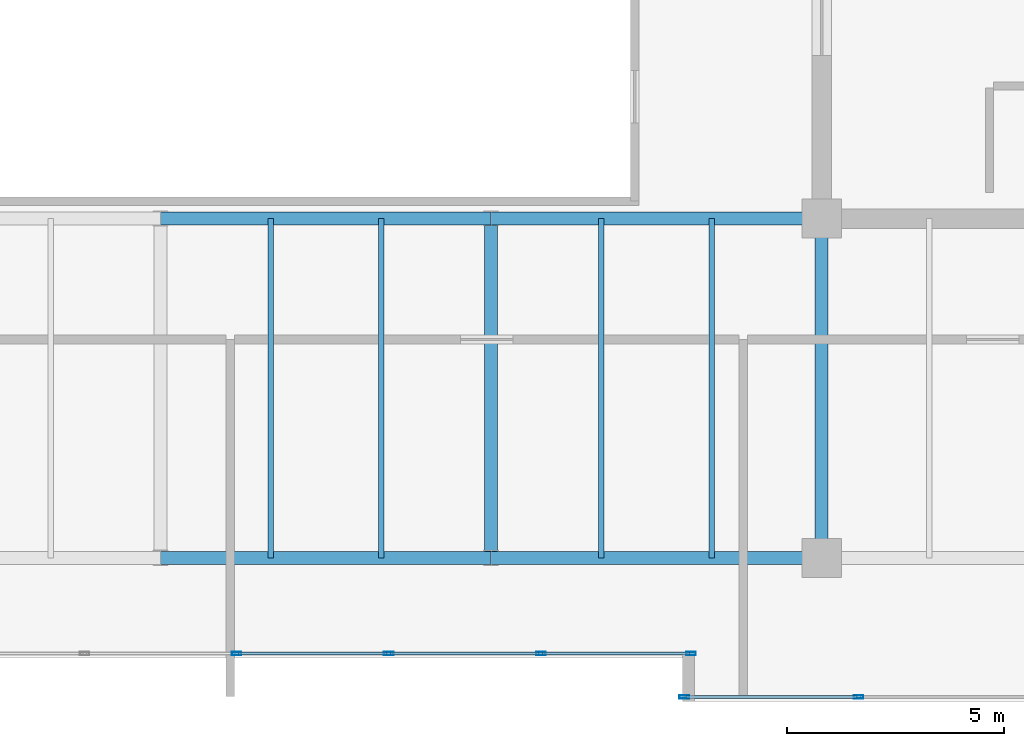
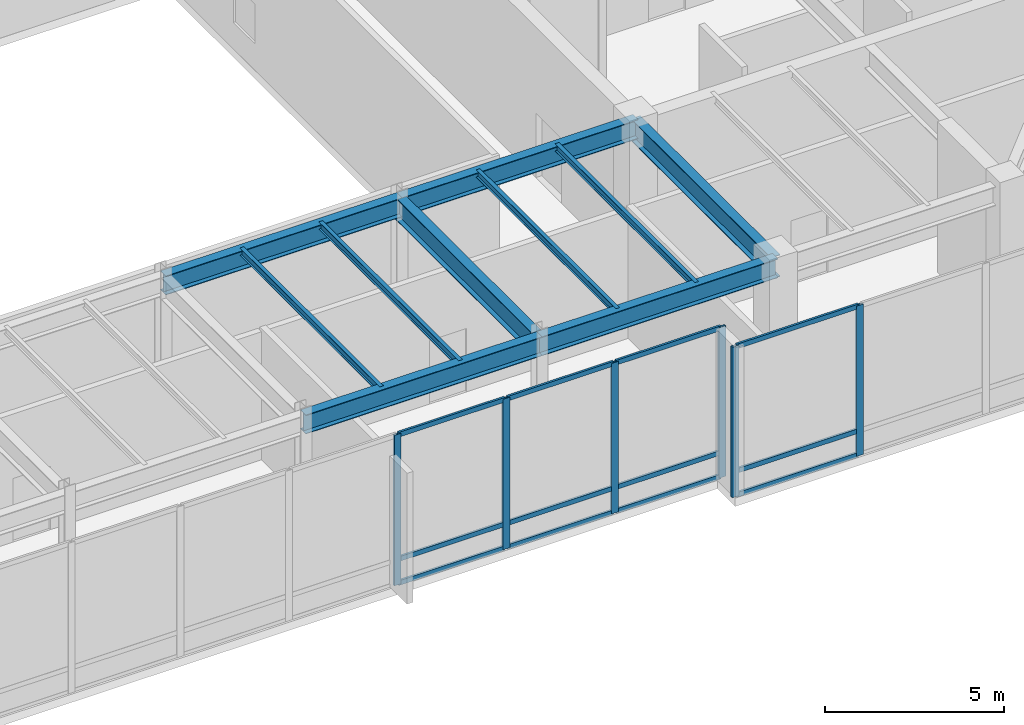
# One storey, part 13 of 30: 18 members, 10 beams, 2 elements without a shape of their own.
"""IFC4 building model written with IfcOpenShell, lengths in metres."""

from ifc_helpers import new_model, si_unit, direction, frame, origin, origin_2d, place, context, subcontext, project, spatial, hollow_rectangle, i_section, extrude, source, transform, mapped, material, layer, layer_set, material_profile, profile_set, type_object, type_shapes, element, aggregate, save


model = new_model("IFC4")

# Units and contexts
model_context = context("Model", 3, precision=1e-05, world=origin(), true_north=direction((0.0, 1.0)))
body_context = subcontext(model_context, "Body", "Model", "MODEL_VIEW")
ifc_project = project(units=[si_unit("LENGTHUNIT", "METRE"), si_unit("AREAUNIT", "SQUARE_METRE"), si_unit("VOLUMEUNIT", "CUBIC_METRE"), si_unit("PLANEANGLEUNIT", "RADIAN"), si_unit("MASSUNIT", "GRAM", prefix="KILO")], contexts=[model_context])

# Site, building, storey
site_placement = place(None, origin())
site = spatial("IfcSite", under=ifc_project, at=site_placement, CompositionType="ELEMENT")
building_placement = place(site_placement, origin())
building = spatial("IfcBuilding", under=site, at=building_placement, Name="Haelvirn Gate Laboratories", CompositionType="ELEMENT")
storey_placement = place(building_placement, frame((0.0, 0.0, 332.39990234375)))
storey = spatial("IfcBuildingStorey", under=building, at=storey_placement, Name="L79", CompositionType="ELEMENT", Elevation=332.39990234375)

# Beams
ifc_material_1 = material(Name="Steel SM355", Category="steel")
ifc_material_profile_1 = material_profile(ifc_material_1, i_section(OverallWidth=0.300048828125, OverallDepth=0.75, WebThickness=0.013916015625, FlangeThickness=0.02392578125, at=origin_2d()), Name="H-750x300x14x24")
ifc_profile_set_1 = profile_set([ifc_material_profile_1], Name="Steel SM355")
beam_type_1 = type_object("IfcBeamType", Name="BM-G-750", PredefinedType="BEAM", material=ifc_profile_set_1)
shared_shape_1 = source(origin(), body_context, "Body", "SweptSolid", [
    extrude(i_section(OverallWidth=0.300048828125, OverallDepth=0.75, WebThickness=0.013916015625, FlangeThickness=0.02392578125, at=origin_2d()), origin(), (0.0, 0.0, 1.0), 7.800048828125),
])
type_shapes(beam_type_1, [shared_shape_1])
for number, where, z_axis, x_axis, name in (
    (1, (45.0, 7.0, 4.7451171875), (0.0, 1.0, 0.0), (-1.0, 0.0, 0.0), "L79 Frame Girder X45.0 (7.0-14.8)"),
    (2, (52.60009765625, 7.0, 4.7451171875), (0.0, 1.0, 0.0), (-1.0, 0.0, 0.0), "L79 Frame Girder X52.6 (7.0-14.8)"),
):
    element("IfcBeam", number, at=place(storey_placement, frame(where, z_axis=z_axis, x_axis=x_axis)), inside=storey, type_object=beam_type_1, Name=name, PredefinedType="BEAM", context=body_context, shape_type="MappedRepresentation", body=[
        mapped(shared_shape_1, transform((0.0, 0.0, 0.0), scale=1.0)),
    ])
ifc_material_profile_2 = material_profile(ifc_material_1, i_section(OverallWidth=0.300048828125, OverallDepth=0.64990234375, WebThickness=0.012939453125, FlangeThickness=0.02197265625, at=origin_2d()), Name="H-650x300x13x22")
ifc_profile_set_2 = profile_set([ifc_material_profile_2], Name="Steel SM355")
beam_type_2 = type_object("IfcBeamType", Name="BM-G-650", PredefinedType="BEAM", material=ifc_profile_set_2)
shared_shape_2 = source(origin(), body_context, "Body", "SweptSolid", [
    extrude(i_section(OverallWidth=0.300048828125, OverallDepth=0.64990234375, WebThickness=0.012939453125, FlangeThickness=0.02197265625, at=origin_2d()), origin(), (0.0, 0.0, 1.0), 7.60009765625),
])
type_shapes(beam_type_2, [shared_shape_2])
for number, where, z_axis, x_axis, name in (
    (3, (37.39990234375, 7.0, 4.795166015625), (1.0, 0.0, 0.0), (0.0, 1.0, 0.0), "L79 Primary Girder Y7.0 (37.4-45.0)"),
    (4, (45.0, 7.0, 4.795166015625), (1.0, 0.0, 0.0), (0.0, 1.0, 0.0), "L79 Primary Girder Y7.0 (45.0-52.6)"),
    (5, (37.39990234375, 14.800048828125, 4.795166015625), (1.0, 0.0, 0.0), (0.0, 1.0, 0.0), "L79 Primary Girder Y14.8 (37.4-45.0)"),
    (6, (45.0, 14.800048828125, 4.795166015625), (1.0, 0.0, 0.0), (0.0, 1.0, 0.0), "L79 Primary Girder Y14.8 (45.0-52.6)"),
):
    element("IfcBeam", number, at=place(storey_placement, frame(where, z_axis=z_axis, x_axis=x_axis)), inside=storey, type_object=beam_type_2, Name=name, PredefinedType="BEAM", context=body_context, shape_type="MappedRepresentation", body=[
        mapped(shared_shape_2, transform((0.0, 0.0, 0.0), scale=1.0)),
    ])
ifc_material_profile_3 = material_profile(ifc_material_1, i_section(OverallWidth=0.125, OverallDepth=0.25, WebThickness=0.006103515625, FlangeThickness=0.009033203125, at=origin_2d()), Name="H-250x125x6x9")
ifc_profile_set_3 = profile_set([ifc_material_profile_3], Name="Steel SM355")
beam_type_3 = type_object("IfcBeamType", Name="BM-J-250", PredefinedType="JOIST", material=ifc_profile_set_3)
shared_shape_3 = source(origin(), body_context, "Body", "SweptSolid", [
    extrude(i_section(OverallWidth=0.125, OverallDepth=0.25, WebThickness=0.006103515625, FlangeThickness=0.009033203125, at=origin_2d()), origin(), (0.0, 0.0, 1.0), 7.800048828125),
])
type_shapes(beam_type_3, [shared_shape_3])
for number, where, z_axis, x_axis, name in (
    (7, (39.929931640625, 7.0, 4.9951171875), (0.0, 1.0, 0.0), (-1.0, 0.0, 0.0), "L79 Composite Lab Joist South X39.93"),
    (8, (42.469970703125, 7.0, 4.9951171875), (0.0, 1.0, 0.0), (-1.0, 0.0, 0.0), "L79 Composite Lab Joist South X42.47"),
    (9, (47.530029296875, 7.0, 4.9951171875), (0.0, 1.0, 0.0), (-1.0, 0.0, 0.0), "L79 Composite Lab Joist South X47.53"),
    (10, (50.070068359375, 7.0, 4.9951171875), (0.0, 1.0, 0.0), (-1.0, 0.0, 0.0), "L79 Composite Lab Joist South X50.07"),
):
    element("IfcBeam", number, at=place(storey_placement, frame(where, z_axis=z_axis, x_axis=x_axis)), inside=storey, type_object=beam_type_3, Name=name, PredefinedType="JOIST", context=body_context, shape_type="MappedRepresentation", body=[
        mapped(shared_shape_3, transform((0.0, 0.0, 0.0), scale=1.0)),
    ])

# Curtain wall, members
ifc_material_2 = material(Name="Anodised bronze unitised aluminium & triple low-E glass", Category="aluminium")
ifc_layer = layer(ifc_material_2, 0.19189453125, Name="CW-SYS-6")
ifc_layer_set = layer_set([ifc_layer], Name="Anodised bronze unitised aluminium & triple low-E glass")
curtain_wall_type = type_object("IfcCurtainWallType", Name="CW-SYS-6", PredefinedType="NOTDEFINED", material=ifc_layer_set)
curtain_wall_1_placement = place(storey_placement, origin())
curtain_wall_1 = element("IfcCurtainWall", 11, at=curtain_wall_1_placement, inside=storey, type_object=curtain_wall_type, Name="L79 Unitised Curtain Wall CW-L79-P0-E02-1", PredefinedType="NOTDEFINED")
ifc_material_3 = material(Name="Extruded aluminium 6063-T6 (anodised bronze)", Category="aluminium")
ifc_material_profile_4 = material_profile(ifc_material_3, hollow_rectangle(XDim=0.080078125, YDim=0.219970703125, WallThickness=0.006103515625, at=origin_2d()), Name="CWM-220x80x6")
ifc_profile_set_4 = profile_set([ifc_material_profile_4], Name="Extruded aluminium 6063-T6 (anodised bronze)")
member_type_1 = type_object("IfcMemberType", Name="CWM-T220", PredefinedType="MULLION", material=ifc_profile_set_4)
shared_shape_4 = source(origin(), body_context, "Body", "SweptSolid", [
    extrude(hollow_rectangle(XDim=0.080078125, YDim=0.219970703125, WallThickness=0.006103515625, at=origin_2d()), origin(), (0.0, 0.0, 1.0), 5.1201171875),
])
type_shapes(member_type_1, [shared_shape_4])
member_1_placement = place(storey_placement, frame((39.148681640625, 4.800048828125, 0.0), z_axis=(0.0, 0.0, 1.0), x_axis=(0.0, 1.0, 0.0)))
member_1 = element("IfcMember", 12, at=member_1_placement, type_object=member_type_1, Name="CW6 mullion 5", PredefinedType="MULLION", context=body_context, shape_type="MappedRepresentation", body=[
    mapped(shared_shape_4, transform((0.0, 0.0, 0.0), scale=1.0)),
])
member_2_placement = place(storey_placement, frame((42.645751953125, 4.800048828125, 0.0), z_axis=(0.0, 0.0, 1.0), x_axis=(0.0, 1.0, 0.0)))
member_2 = element("IfcMember", 13, at=member_2_placement, type_object=member_type_1, Name="CW6 mullion 6", PredefinedType="MULLION", context=body_context, shape_type="MappedRepresentation", body=[
    mapped(shared_shape_4, transform((0.0, 0.0, 0.0), scale=1.0)),
])
member_3_placement = place(storey_placement, frame((46.142822265625, 4.800048828125, 0.0), z_axis=(0.0, 0.0, 1.0), x_axis=(0.0, 1.0, 0.0)))
member_3 = element("IfcMember", 14, at=member_3_placement, type_object=member_type_1, Name="CW6 mullion 7", PredefinedType="MULLION", context=body_context, shape_type="MappedRepresentation", body=[
    mapped(shared_shape_4, transform((0.0, 0.0, 0.0), scale=1.0)),
])
member_4_placement = place(storey_placement, frame((49.60009765625, 4.800048828125, 0.0), z_axis=(0.0, 0.0, 1.0), x_axis=(0.0, 1.0, 0.0)))
member_4 = element("IfcMember", 15, at=member_4_placement, type_object=member_type_1, Name="CW6 mullion 8", PredefinedType="MULLION", context=body_context, shape_type="MappedRepresentation", body=[
    mapped(shared_shape_4, transform((0.0, 0.0, 0.0), scale=1.0)),
])

curtain_wall_2_placement = place(storey_placement, origin())
curtain_wall_2 = element("IfcCurtainWall", 16, at=curtain_wall_2_placement, inside=storey, type_object=curtain_wall_type, Name="L79 Unitised Curtain Wall CW-L79-P0-E04-1", PredefinedType="NOTDEFINED")
member_5_placement = place(storey_placement, frame((49.43994140625, 3.800048828125, 0.0), z_axis=(0.0, 0.0, 1.0), x_axis=(0.0, 1.0, 0.0)))
member_5 = element("IfcMember", 17, at=member_5_placement, type_object=member_type_1, Name="CW6 mullion 1", PredefinedType="MULLION", context=body_context, shape_type="MappedRepresentation", body=[
    mapped(shared_shape_4, transform((0.0, 0.0, 0.0), scale=1.0)),
])
member_6_placement = place(storey_placement, frame((53.449951171875, 3.800048828125, 0.0), z_axis=(0.0, 0.0, 1.0), x_axis=(0.0, 1.0, 0.0)))
member_6 = element("IfcMember", 18, at=member_6_placement, type_object=member_type_1, Name="CW6 mullion 2", PredefinedType="MULLION", context=body_context, shape_type="MappedRepresentation", body=[
    mapped(shared_shape_4, transform((0.0, 0.0, 0.0), scale=1.0)),
])
ifc_material_profile_5 = material_profile(ifc_material_3, hollow_rectangle(XDim=0.070068359375, YDim=0.159912109375, WallThickness=0.0048828125, at=origin_2d()), Name="CWT-160x70x5")
ifc_profile_set_5 = profile_set([ifc_material_profile_5], Name="Extruded aluminium 6063-T6 (anodised bronze)")
member_type_2 = type_object("IfcMemberType", Name="CWT-T160", PredefinedType="USERDEFINED", material=ifc_profile_set_5)
shared_shape_5 = source(origin(), body_context, "Body", "SweptSolid", [
    extrude(hollow_rectangle(XDim=0.070068359375, YDim=0.159912109375, WallThickness=0.0048828125, at=origin_2d()), origin(), (0.0, 0.0, 1.0), 3.929931640625),
])
member_7_placement = place(storey_placement, frame((49.47998046875, 3.800048828125, 0.03515625), z_axis=(1.0, 0.0, 0.0), x_axis=(0.0, 1.0, 0.0)))
member_7 = element("IfcMember", 19, at=member_7_placement, type_object=member_type_2, Name="CW6 transom 1.1", ObjectType="TRANSOM", PredefinedType="USERDEFINED", context=body_context, shape_type="MappedRepresentation", body=[
    mapped(shared_shape_5, transform((0.0, 0.0, 0.0), scale=1.0)),
])
member_8_placement = place(storey_placement, frame((49.47998046875, 3.800048828125, 0.85009765625), z_axis=(1.0, 0.0, 0.0), x_axis=(0.0, 1.0, 0.0)))
member_8 = element("IfcMember", 20, at=member_8_placement, type_object=member_type_2, Name="CW6 transom 1.2", ObjectType="TRANSOM", PredefinedType="USERDEFINED", context=body_context, shape_type="MappedRepresentation", body=[
    mapped(shared_shape_5, transform((0.0, 0.0, 0.0), scale=1.0)),
])
member_9_placement = place(storey_placement, frame((49.47998046875, 3.800048828125, 5.085205078125), z_axis=(1.0, 0.0, 0.0), x_axis=(0.0, 1.0, 0.0)))
member_9 = element("IfcMember", 21, at=member_9_placement, type_object=member_type_2, Name="CW6 transom 1.3", ObjectType="TRANSOM", PredefinedType="USERDEFINED", context=body_context, shape_type="MappedRepresentation", body=[
    mapped(shared_shape_5, transform((0.0, 0.0, 0.0), scale=1.0)),
])
aggregate(curtain_wall_2, [member_5, member_6, member_7, member_8, member_9])

# Member
shared_shape_6 = source(origin(), body_context, "Body", "SweptSolid", [
    extrude(hollow_rectangle(XDim=0.070068359375, YDim=0.159912109375, WallThickness=0.0048828125, at=origin_2d()), origin(), (0.0, 0.0, 1.0), 3.377197265625),
])
member_10_placement = place(storey_placement, frame((46.182861328125, 4.800048828125, 0.03515625), z_axis=(1.0, 0.0, 0.0), x_axis=(0.0, 1.0, 0.0)))
member_10 = element("IfcMember", 22, at=member_10_placement, type_object=member_type_2, Name="CW6 transom 7.1", ObjectType="TRANSOM", PredefinedType="USERDEFINED", context=body_context, shape_type="MappedRepresentation", body=[
    mapped(shared_shape_6, transform((0.0, 0.0, 0.0), scale=1.0)),
])

member_11_placement = place(storey_placement, frame((46.182861328125, 4.800048828125, 0.85009765625), z_axis=(1.0, 0.0, 0.0), x_axis=(0.0, 1.0, 0.0)))
member_11 = element("IfcMember", 23, at=member_11_placement, type_object=member_type_2, Name="CW6 transom 7.2", ObjectType="TRANSOM", PredefinedType="USERDEFINED", context=body_context, shape_type="MappedRepresentation", body=[
    mapped(shared_shape_6, transform((0.0, 0.0, 0.0), scale=1.0)),
])

member_12_placement = place(storey_placement, frame((46.182861328125, 4.800048828125, 5.085205078125), z_axis=(1.0, 0.0, 0.0), x_axis=(0.0, 1.0, 0.0)))
member_12 = element("IfcMember", 24, at=member_12_placement, type_object=member_type_2, Name="CW6 transom 7.3", ObjectType="TRANSOM", PredefinedType="USERDEFINED", context=body_context, shape_type="MappedRepresentation", body=[
    mapped(shared_shape_6, transform((0.0, 0.0, 0.0), scale=1.0)),
])

shared_shape_7 = source(origin(), body_context, "Body", "SweptSolid", [
    extrude(hollow_rectangle(XDim=0.070068359375, YDim=0.159912109375, WallThickness=0.0048828125, at=origin_2d()), origin(), (0.0, 0.0, 1.0), 3.417236328125),
])
member_13_placement = place(storey_placement, frame((39.1884765625, 4.800048828125, 0.03515625), z_axis=(1.0, 0.0, 0.0), x_axis=(0.0, 1.0, 0.0)))
member_13 = element("IfcMember", 25, at=member_13_placement, type_object=member_type_2, Name="CW6 transom 5.1", ObjectType="TRANSOM", PredefinedType="USERDEFINED", context=body_context, shape_type="MappedRepresentation", body=[
    mapped(shared_shape_7, transform((0.0, 0.0, 0.0), scale=1.0)),
])

member_14_placement = place(storey_placement, frame((39.1884765625, 4.800048828125, 0.85009765625), z_axis=(1.0, 0.0, 0.0), x_axis=(0.0, 1.0, 0.0)))
member_14 = element("IfcMember", 26, at=member_14_placement, type_object=member_type_2, Name="CW6 transom 5.2", ObjectType="TRANSOM", PredefinedType="USERDEFINED", context=body_context, shape_type="MappedRepresentation", body=[
    mapped(shared_shape_7, transform((0.0, 0.0, 0.0), scale=1.0)),
])

member_15_placement = place(storey_placement, frame((39.1884765625, 4.800048828125, 5.085205078125), z_axis=(1.0, 0.0, 0.0), x_axis=(0.0, 1.0, 0.0)))
member_15 = element("IfcMember", 27, at=member_15_placement, type_object=member_type_2, Name="CW6 transom 5.3", ObjectType="TRANSOM", PredefinedType="USERDEFINED", context=body_context, shape_type="MappedRepresentation", body=[
    mapped(shared_shape_7, transform((0.0, 0.0, 0.0), scale=1.0)),
])

shared_shape_8 = source(origin(), body_context, "Body", "SweptSolid", [
    extrude(hollow_rectangle(XDim=0.070068359375, YDim=0.159912109375, WallThickness=0.0048828125, at=origin_2d()), origin(), (0.0, 0.0, 1.0), 3.4169921875),
])
type_shapes(member_type_2, [shared_shape_5, shared_shape_6, shared_shape_7, shared_shape_8])
member_16_placement = place(storey_placement, frame((42.685791015625, 4.800048828125, 0.03515625), z_axis=(1.0, 0.0, 0.0), x_axis=(0.0, 1.0, 0.0)))
member_16 = element("IfcMember", 28, at=member_16_placement, type_object=member_type_2, Name="CW6 transom 6.1", ObjectType="TRANSOM", PredefinedType="USERDEFINED", context=body_context, shape_type="MappedRepresentation", body=[
    mapped(shared_shape_8, transform((0.0, 0.0, 0.0), scale=1.0)),
])

member_17_placement = place(storey_placement, frame((42.685791015625, 4.800048828125, 0.85009765625), z_axis=(1.0, 0.0, 0.0), x_axis=(0.0, 1.0, 0.0)))
member_17 = element("IfcMember", 29, at=member_17_placement, type_object=member_type_2, Name="CW6 transom 6.2", ObjectType="TRANSOM", PredefinedType="USERDEFINED", context=body_context, shape_type="MappedRepresentation", body=[
    mapped(shared_shape_8, transform((0.0, 0.0, 0.0), scale=1.0)),
])

member_18_placement = place(storey_placement, frame((42.685791015625, 4.800048828125, 5.085205078125), z_axis=(1.0, 0.0, 0.0), x_axis=(0.0, 1.0, 0.0)))
member_18 = element("IfcMember", 30, at=member_18_placement, type_object=member_type_2, Name="CW6 transom 6.3", ObjectType="TRANSOM", PredefinedType="USERDEFINED", context=body_context, shape_type="MappedRepresentation", body=[
    mapped(shared_shape_8, transform((0.0, 0.0, 0.0), scale=1.0)),
])

aggregate(curtain_wall_1, [member_1, member_2, member_3, member_4, member_13, member_14, member_15, member_16, member_17, member_18, member_10, member_11, member_12])

save(model, "model.ifc")
